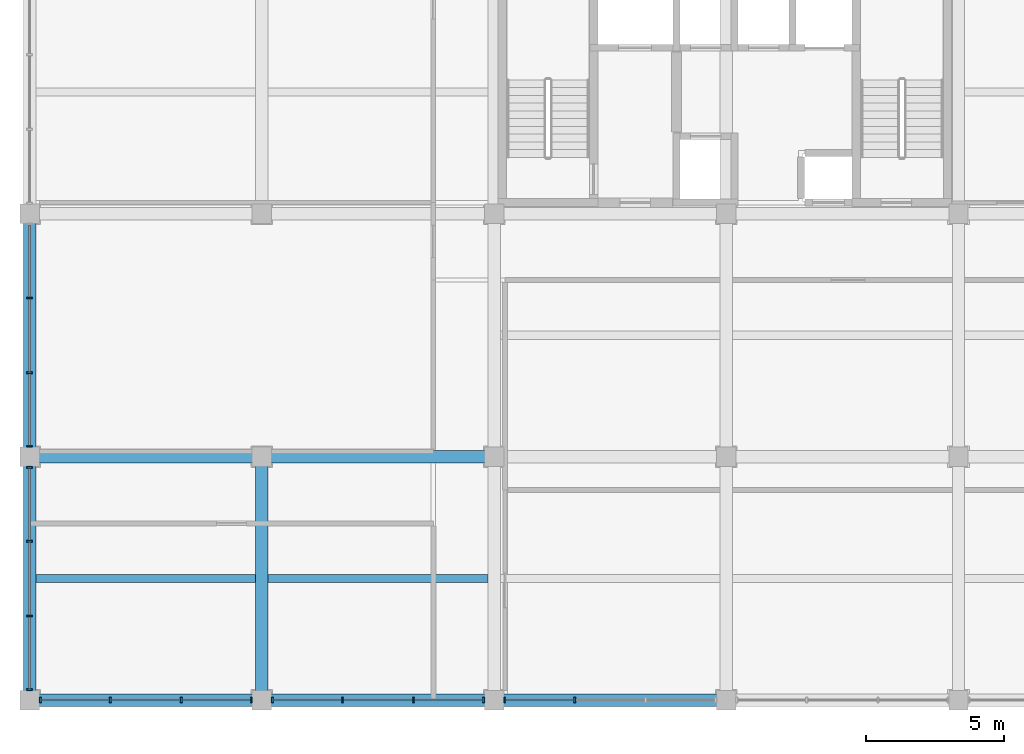
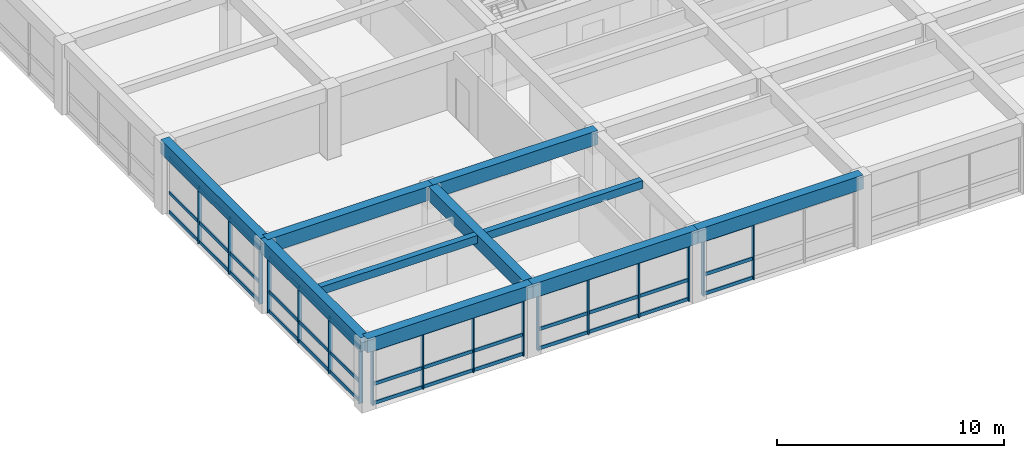
# One storey, part 2 of 13: 56 members, 10 beams, 5 elements without a shape of their own.
"""IFC4 building model written with IfcOpenShell, lengths in metres."""

from ifc_helpers import new_model, si_unit, direction, frame, origin, origin_2d, place, context, subcontext, project, spatial, rectangle, extrude, material, material_profile, profile_set, type_object, element, aggregate, save


model = new_model("IFC4")

# Units and contexts
model_context = context("Model", 3, precision=1e-05, world=origin(), true_north=direction((0.0, 1.0)))
body_context = subcontext(model_context, "Body", "Model", "MODEL_VIEW")
ifc_project = project(units=[si_unit("LENGTHUNIT", "METRE"), si_unit("AREAUNIT", "SQUARE_METRE"), si_unit("VOLUMEUNIT", "CUBIC_METRE"), si_unit("PLANEANGLEUNIT", "RADIAN"), si_unit("MASSUNIT", "GRAM", prefix="KILO")], contexts=[model_context])

# Site, building, storey
site_placement = place(None, origin())
site = spatial("IfcSite", under=ifc_project, at=site_placement, CompositionType="ELEMENT")
building_placement = place(site_placement, origin())
building = spatial("IfcBuilding", under=site, at=building_placement, Name="Kemercrest Conservatory and Botanical Centre", CompositionType="ELEMENT")
storey_placement = place(building_placement, frame((0.0, 0.0, 36.800048828125)))
storey = spatial("IfcBuildingStorey", under=building, at=storey_placement, Name="L09", CompositionType="ELEMENT", Elevation=36.800048828125)

# Beams
ifc_material_1 = material(Name="Concrete C40/50", Category="concrete")
ifc_material_profile_1 = material_profile(ifc_material_1, rectangle(XDim=0.449951171875, YDim=0.75, at=origin_2d()), Name="RC 450x750")
ifc_profile_set_1 = profile_set([ifc_material_profile_1], Name="Concrete C40/50")
beam_type_1 = type_object("IfcBeamType", Name="BM-RC75", PredefinedType="BEAM", material=ifc_profile_set_1)
beam_1_placement = place(storey_placement, frame((134.0, 96.0, 3.425048828125), z_axis=(1.0, 0.0, 0.0), x_axis=(0.0, 1.0, 0.0)))
element("IfcBeam", 1, at=beam_1_placement, inside=storey, type_object=beam_type_1, Name="V4-L10 beam BM-RC75 L/16-17", PredefinedType="BEAM", context=body_context, shape_type="SweptSolid", body=[
    extrude(rectangle(XDim=0.449951171875, YDim=0.75, at=origin_2d()), origin(), (0.0, 0.0, 1.0), 8.39990234375),
])
beam_2_placement = place(storey_placement, frame((142.39990234375, 96.0, 3.425048828125), z_axis=(1.0, 0.0, 0.0), x_axis=(0.0, 1.0, 0.0)))
element("IfcBeam", 2, at=beam_2_placement, inside=storey, type_object=beam_type_1, Name="V4-L10 beam BM-RC75 L/17-18", PredefinedType="BEAM", context=body_context, shape_type="SweptSolid", body=[
    extrude(rectangle(XDim=0.449951171875, YDim=0.75, at=origin_2d()), origin(), (0.0, 0.0, 1.0), 8.400146484375),
])
beam_3_placement = place(storey_placement, frame((142.39990234375, 87.199951171875, 3.425048828125), z_axis=(0.0, 1.0, 0.0), x_axis=(-1.0, 0.0, 0.0)))
element("IfcBeam", 3, at=beam_3_placement, inside=storey, type_object=beam_type_1, Name="V4-L10 beam BM-RC75 17/K-L", PredefinedType="BEAM", context=body_context, shape_type="SweptSolid", body=[
    extrude(rectangle(XDim=0.449951171875, YDim=0.75, at=origin_2d()), origin(), (0.0, 0.0, 1.0), 8.800048828125),
])

# Curtain wall, members
ifc_material_2 = material(Name="Thermally broken aluminium and triple low-e glazing", Category="aluminium")
curtain_wall_type_1 = type_object("IfcCurtainWallType", Name="CW-11", PredefinedType="USERDEFINED", material=ifc_material_2)
curtain_wall_1_placement = place(storey_placement, origin())
curtain_wall_1 = element("IfcCurtainWall", 4, at=curtain_wall_1_placement, inside=storey, type_object=curtain_wall_type_1, Name="Unitised curtain wall CW-11 (CW:L09:V4-100)", ObjectType="UNITISED CURTAIN WALL", PredefinedType="USERDEFINED")
ifc_material_3 = material(Name="Thermally broken anodized aluminium 6063-T6", Category="aluminium")
ifc_material_profile_2 = material_profile(ifc_material_3, rectangle(XDim=0.199951171875, YDim=0.06494140625, at=origin_2d()), Name="AL MULLION 65x200")
ifc_profile_set_2 = profile_set([ifc_material_profile_2], Name="Thermally broken anodized aluminium 6063-T6")
member_type_1 = type_object("IfcMemberType", Name="CW-M200", PredefinedType="MULLION", material=ifc_profile_set_2)
member_1_placement = place(storey_placement, frame((134.37744140625, 87.199951171875, 0.0), z_axis=(0.0, 0.0, 1.0), x_axis=(0.0, 1.0, 0.0)))
member_1 = element("IfcMember", 5, at=member_1_placement, type_object=member_type_1, Name="CW-11 mullion 1", PredefinedType="MULLION", context=body_context, shape_type="SweptSolid", body=[
    extrude(rectangle(XDim=0.199951171875, YDim=0.06494140625, at=origin_2d()), origin(), (0.0, 0.0, 1.0), 3.054931640625),
])
member_2_placement = place(storey_placement, frame((136.9150390625, 87.199951171875, 0.0), z_axis=(0.0, 0.0, 1.0), x_axis=(0.0, 1.0, 0.0)))
member_2 = element("IfcMember", 6, at=member_2_placement, type_object=member_type_1, Name="CW-11 mullion 2", PredefinedType="MULLION", context=body_context, shape_type="SweptSolid", body=[
    extrude(rectangle(XDim=0.199951171875, YDim=0.06494140625, at=origin_2d()), origin(), (0.0, 0.0, 1.0), 3.054931640625),
])
member_3_placement = place(storey_placement, frame((139.485107421875, 87.199951171875, 0.0), z_axis=(0.0, 0.0, 1.0), x_axis=(0.0, 1.0, 0.0)))
member_3 = element("IfcMember", 7, at=member_3_placement, type_object=member_type_1, Name="CW-11 mullion 3", PredefinedType="MULLION", context=body_context, shape_type="SweptSolid", body=[
    extrude(rectangle(XDim=0.199951171875, YDim=0.06494140625, at=origin_2d()), origin(), (0.0, 0.0, 1.0), 3.054931640625),
])
member_4_placement = place(storey_placement, frame((142.0224609375, 87.199951171875, 0.0), z_axis=(0.0, 0.0, 1.0), x_axis=(0.0, 1.0, 0.0)))
member_4 = element("IfcMember", 8, at=member_4_placement, type_object=member_type_1, Name="CW-11 mullion 4", PredefinedType="MULLION", context=body_context, shape_type="SweptSolid", body=[
    extrude(rectangle(XDim=0.199951171875, YDim=0.06494140625, at=origin_2d()), origin(), (0.0, 0.0, 1.0), 3.054931640625),
])

curtain_wall_type_2 = type_object("IfcCurtainWallType", Name="CW-12", PredefinedType="USERDEFINED", material=ifc_material_2)
curtain_wall_2_placement = place(storey_placement, origin())
curtain_wall_2 = element("IfcCurtainWall", 9, at=curtain_wall_2_placement, inside=storey, type_object=curtain_wall_type_2, Name="Unitised curtain wall CW-12 (CW:L09:V4-101)", ObjectType="UNITISED CURTAIN WALL", PredefinedType="USERDEFINED")
member_5_placement = place(storey_placement, frame((142.777587890625, 87.199951171875, 0.0), z_axis=(0.0, 0.0, 1.0), x_axis=(0.0, 1.0, 0.0)))
member_5 = element("IfcMember", 10, at=member_5_placement, type_object=member_type_1, Name="CW-12 mullion 1", PredefinedType="MULLION", context=body_context, shape_type="SweptSolid", body=[
    extrude(rectangle(XDim=0.199951171875, YDim=0.06494140625, at=origin_2d()), origin(), (0.0, 0.0, 1.0), 3.054931640625),
])
member_6_placement = place(storey_placement, frame((145.31494140625, 87.199951171875, 0.0), z_axis=(0.0, 0.0, 1.0), x_axis=(0.0, 1.0, 0.0)))
member_6 = element("IfcMember", 11, at=member_6_placement, type_object=member_type_1, Name="CW-12 mullion 2", PredefinedType="MULLION", context=body_context, shape_type="SweptSolid", body=[
    extrude(rectangle(XDim=0.199951171875, YDim=0.06494140625, at=origin_2d()), origin(), (0.0, 0.0, 1.0), 3.054931640625),
])
member_7_placement = place(storey_placement, frame((147.885009765625, 87.199951171875, 0.0), z_axis=(0.0, 0.0, 1.0), x_axis=(0.0, 1.0, 0.0)))
member_7 = element("IfcMember", 12, at=member_7_placement, type_object=member_type_1, Name="CW-12 mullion 3", PredefinedType="MULLION", context=body_context, shape_type="SweptSolid", body=[
    extrude(rectangle(XDim=0.199951171875, YDim=0.06494140625, at=origin_2d()), origin(), (0.0, 0.0, 1.0), 3.054931640625),
])
member_8_placement = place(storey_placement, frame((150.422607421875, 87.199951171875, 0.0), z_axis=(0.0, 0.0, 1.0), x_axis=(0.0, 1.0, 0.0)))
member_8 = element("IfcMember", 13, at=member_8_placement, type_object=member_type_1, Name="CW-12 mullion 4", PredefinedType="MULLION", context=body_context, shape_type="SweptSolid", body=[
    extrude(rectangle(XDim=0.199951171875, YDim=0.06494140625, at=origin_2d()), origin(), (0.0, 0.0, 1.0), 3.054931640625),
])

curtain_wall_type_3 = type_object("IfcCurtainWallType", Name="CW-13", PredefinedType="USERDEFINED", material=ifc_material_2)
curtain_wall_3_placement = place(storey_placement, origin())
curtain_wall_3 = element("IfcCurtainWall", 14, at=curtain_wall_3_placement, inside=storey, type_object=curtain_wall_type_3, Name="Unitised curtain wall CW-13 (CW:L09:V4-102)", ObjectType="UNITISED CURTAIN WALL", PredefinedType="USERDEFINED")
member_9_placement = place(storey_placement, frame((151.177490234375, 87.199951171875, 0.0), z_axis=(0.0, 0.0, 1.0), x_axis=(0.0, 1.0, 0.0)))
member_9 = element("IfcMember", 15, at=member_9_placement, type_object=member_type_1, Name="CW-13 mullion 1", PredefinedType="MULLION", context=body_context, shape_type="SweptSolid", body=[
    extrude(rectangle(XDim=0.199951171875, YDim=0.06494140625, at=origin_2d()), origin(), (0.0, 0.0, 1.0), 3.054931640625),
])
member_10_placement = place(storey_placement, frame((153.715087890625, 87.199951171875, 0.0), z_axis=(0.0, 0.0, 1.0), x_axis=(0.0, 1.0, 0.0)))
member_10 = element("IfcMember", 16, at=member_10_placement, type_object=member_type_1, Name="CW-13 mullion 2", PredefinedType="MULLION", context=body_context, shape_type="SweptSolid", body=[
    extrude(rectangle(XDim=0.199951171875, YDim=0.06494140625, at=origin_2d()), origin(), (0.0, 0.0, 1.0), 3.054931640625),
])

curtain_wall_type_4 = type_object("IfcCurtainWallType", Name="CW-20", PredefinedType="USERDEFINED", material=ifc_material_2)
curtain_wall_4_placement = place(storey_placement, origin())
curtain_wall_4 = element("IfcCurtainWall", 17, at=curtain_wall_4_placement, inside=storey, type_object=curtain_wall_type_4, Name="Unitised curtain wall CW-20 (CW:L09:V4-109)", ObjectType="UNITISED CURTAIN WALL", PredefinedType="USERDEFINED")
member_11_placement = place(storey_placement, frame((134.0, 101.751708984375, 0.0), z_axis=(0.0, 0.0, 1.0), x_axis=(1.0, 0.0, 0.0)))
member_11 = element("IfcMember", 18, at=member_11_placement, type_object=member_type_1, Name="CW-20 mullion 2", PredefinedType="MULLION", context=body_context, shape_type="SweptSolid", body=[
    extrude(rectangle(XDim=0.199951171875, YDim=0.06494140625, at=origin_2d()), origin(), (0.0, 0.0, 1.0), 3.054931640625),
])
member_12_placement = place(storey_placement, frame((134.0, 99.04833984375, 0.0), z_axis=(0.0, 0.0, 1.0), x_axis=(1.0, 0.0, 0.0)))
member_12 = element("IfcMember", 19, at=member_12_placement, type_object=member_type_1, Name="CW-20 mullion 3", PredefinedType="MULLION", context=body_context, shape_type="SweptSolid", body=[
    extrude(rectangle(XDim=0.199951171875, YDim=0.06494140625, at=origin_2d()), origin(), (0.0, 0.0, 1.0), 3.054931640625),
])
member_13_placement = place(storey_placement, frame((134.0, 96.37744140625, 0.0), z_axis=(0.0, 0.0, 1.0), x_axis=(1.0, 0.0, 0.0)))
member_13 = element("IfcMember", 20, at=member_13_placement, type_object=member_type_1, Name="CW-20 mullion 4", PredefinedType="MULLION", context=body_context, shape_type="SweptSolid", body=[
    extrude(rectangle(XDim=0.199951171875, YDim=0.06494140625, at=origin_2d()), origin(), (0.0, 0.0, 1.0), 3.054931640625),
])

curtain_wall_type_5 = type_object("IfcCurtainWallType", Name="CW-21", PredefinedType="USERDEFINED", material=ifc_material_2)
curtain_wall_5_placement = place(storey_placement, origin())
curtain_wall_5 = element("IfcCurtainWall", 21, at=curtain_wall_5_placement, inside=storey, type_object=curtain_wall_type_5, Name="Unitised curtain wall CW-21 (CW:L09:V4-110)", ObjectType="UNITISED CURTAIN WALL", PredefinedType="USERDEFINED")
member_14_placement = place(storey_placement, frame((134.0, 95.62255859375, 0.0), z_axis=(0.0, 0.0, 1.0), x_axis=(1.0, 0.0, 0.0)))
member_14 = element("IfcMember", 22, at=member_14_placement, type_object=member_type_1, Name="CW-21 mullion 1", PredefinedType="MULLION", context=body_context, shape_type="SweptSolid", body=[
    extrude(rectangle(XDim=0.199951171875, YDim=0.06494140625, at=origin_2d()), origin(), (0.0, 0.0, 1.0), 3.054931640625),
])
member_15_placement = place(storey_placement, frame((134.0, 92.95166015625, 0.0), z_axis=(0.0, 0.0, 1.0), x_axis=(1.0, 0.0, 0.0)))
member_15 = element("IfcMember", 23, at=member_15_placement, type_object=member_type_1, Name="CW-21 mullion 2", PredefinedType="MULLION", context=body_context, shape_type="SweptSolid", body=[
    extrude(rectangle(XDim=0.199951171875, YDim=0.06494140625, at=origin_2d()), origin(), (0.0, 0.0, 1.0), 3.054931640625),
])
member_16_placement = place(storey_placement, frame((134.0, 90.248291015625, 0.0), z_axis=(0.0, 0.0, 1.0), x_axis=(1.0, 0.0, 0.0)))
member_16 = element("IfcMember", 24, at=member_16_placement, type_object=member_type_1, Name="CW-21 mullion 3", PredefinedType="MULLION", context=body_context, shape_type="SweptSolid", body=[
    extrude(rectangle(XDim=0.199951171875, YDim=0.06494140625, at=origin_2d()), origin(), (0.0, 0.0, 1.0), 3.054931640625),
])
member_17_placement = place(storey_placement, frame((134.0, 87.577392578125, 0.0), z_axis=(0.0, 0.0, 1.0), x_axis=(1.0, 0.0, 0.0)))
member_17 = element("IfcMember", 25, at=member_17_placement, type_object=member_type_1, Name="CW-21 mullion 4", PredefinedType="MULLION", context=body_context, shape_type="SweptSolid", body=[
    extrude(rectangle(XDim=0.199951171875, YDim=0.06494140625, at=origin_2d()), origin(), (0.0, 0.0, 1.0), 3.054931640625),
])

# Member
ifc_material_profile_3 = material_profile(ifc_material_3, rectangle(XDim=0.074951171875, YDim=0.179931640625, at=origin_2d()), Name="AL TRANSOM 75x180")
ifc_profile_set_3 = profile_set([ifc_material_profile_3], Name="Thermally broken anodized aluminium 6063-T6")
member_type_2 = type_object("IfcMemberType", Name="CW-T180", PredefinedType="USERDEFINED", material=ifc_profile_set_3)
member_18_placement = place(storey_placement, frame((134.409912109375, 87.199951171875, 0.08984375), z_axis=(1.0, 0.0, 0.0), x_axis=(0.0, 1.0, 0.0)))
member_18 = element("IfcMember", 26, at=member_18_placement, type_object=member_type_2, Name="CW-11 transom 1.1", ObjectType="TRANSOM", PredefinedType="USERDEFINED", context=body_context, shape_type="SweptSolid", body=[
    extrude(rectangle(XDim=0.074951171875, YDim=0.179931640625, at=origin_2d()), origin(), (0.0, 0.0, 1.0), 2.47265625),
])

member_19_placement = place(storey_placement, frame((134.409912109375, 87.199951171875, 1.119873046875), z_axis=(1.0, 0.0, 0.0), x_axis=(0.0, 1.0, 0.0)))
member_19 = element("IfcMember", 27, at=member_19_placement, type_object=member_type_2, Name="CW-11 transom 1.2", ObjectType="TRANSOM", PredefinedType="USERDEFINED", context=body_context, shape_type="SweptSolid", body=[
    extrude(rectangle(XDim=0.074951171875, YDim=0.179931640625, at=origin_2d()), origin(), (0.0, 0.0, 1.0), 2.47265625),
])

member_20_placement = place(storey_placement, frame((134.409912109375, 87.199951171875, 2.96484375), z_axis=(1.0, 0.0, 0.0), x_axis=(0.0, 1.0, 0.0)))
member_20 = element("IfcMember", 28, at=member_20_placement, type_object=member_type_2, Name="CW-11 transom 1.3", ObjectType="TRANSOM", PredefinedType="USERDEFINED", context=body_context, shape_type="SweptSolid", body=[
    extrude(rectangle(XDim=0.074951171875, YDim=0.179931640625, at=origin_2d()), origin(), (0.0, 0.0, 1.0), 2.47265625),
])

member_21_placement = place(storey_placement, frame((136.947509765625, 87.199951171875, 0.08984375), z_axis=(1.0, 0.0, 0.0), x_axis=(0.0, 1.0, 0.0)))
member_21 = element("IfcMember", 29, at=member_21_placement, type_object=member_type_2, Name="CW-11 transom 2.1", ObjectType="TRANSOM", PredefinedType="USERDEFINED", context=body_context, shape_type="SweptSolid", body=[
    extrude(rectangle(XDim=0.074951171875, YDim=0.179931640625, at=origin_2d()), origin(), (0.0, 0.0, 1.0), 2.5048828125),
])

member_22_placement = place(storey_placement, frame((136.947509765625, 87.199951171875, 1.119873046875), z_axis=(1.0, 0.0, 0.0), x_axis=(0.0, 1.0, 0.0)))
member_22 = element("IfcMember", 30, at=member_22_placement, type_object=member_type_2, Name="CW-11 transom 2.2", ObjectType="TRANSOM", PredefinedType="USERDEFINED", context=body_context, shape_type="SweptSolid", body=[
    extrude(rectangle(XDim=0.074951171875, YDim=0.179931640625, at=origin_2d()), origin(), (0.0, 0.0, 1.0), 2.5048828125),
])

member_23_placement = place(storey_placement, frame((136.947509765625, 87.199951171875, 2.96484375), z_axis=(1.0, 0.0, 0.0), x_axis=(0.0, 1.0, 0.0)))
member_23 = element("IfcMember", 31, at=member_23_placement, type_object=member_type_2, Name="CW-11 transom 2.3", ObjectType="TRANSOM", PredefinedType="USERDEFINED", context=body_context, shape_type="SweptSolid", body=[
    extrude(rectangle(XDim=0.074951171875, YDim=0.179931640625, at=origin_2d()), origin(), (0.0, 0.0, 1.0), 2.5048828125),
])

member_24_placement = place(storey_placement, frame((139.517578125, 87.199951171875, 0.08984375), z_axis=(1.0, 0.0, 0.0), x_axis=(0.0, 1.0, 0.0)))
member_24 = element("IfcMember", 32, at=member_24_placement, type_object=member_type_2, Name="CW-11 transom 3.1", ObjectType="TRANSOM", PredefinedType="USERDEFINED", context=body_context, shape_type="SweptSolid", body=[
    extrude(rectangle(XDim=0.074951171875, YDim=0.179931640625, at=origin_2d()), origin(), (0.0, 0.0, 1.0), 2.472412109375),
])

member_25_placement = place(storey_placement, frame((139.517578125, 87.199951171875, 1.119873046875), z_axis=(1.0, 0.0, 0.0), x_axis=(0.0, 1.0, 0.0)))
member_25 = element("IfcMember", 33, at=member_25_placement, type_object=member_type_2, Name="CW-11 transom 3.2", ObjectType="TRANSOM", PredefinedType="USERDEFINED", context=body_context, shape_type="SweptSolid", body=[
    extrude(rectangle(XDim=0.074951171875, YDim=0.179931640625, at=origin_2d()), origin(), (0.0, 0.0, 1.0), 2.472412109375),
])

member_26_placement = place(storey_placement, frame((139.517578125, 87.199951171875, 2.96484375), z_axis=(1.0, 0.0, 0.0), x_axis=(0.0, 1.0, 0.0)))
member_26 = element("IfcMember", 34, at=member_26_placement, type_object=member_type_2, Name="CW-11 transom 3.3", ObjectType="TRANSOM", PredefinedType="USERDEFINED", context=body_context, shape_type="SweptSolid", body=[
    extrude(rectangle(XDim=0.074951171875, YDim=0.179931640625, at=origin_2d()), origin(), (0.0, 0.0, 1.0), 2.472412109375),
])

aggregate(curtain_wall_1, [member_1, member_2, member_3, member_4, member_18, member_19, member_20, member_21, member_22, member_23, member_24, member_25, member_26])

member_27_placement = place(storey_placement, frame((142.81005859375, 87.199951171875, 0.08984375), z_axis=(1.0, 0.0, 0.0), x_axis=(0.0, 1.0, 0.0)))
member_27 = element("IfcMember", 35, at=member_27_placement, type_object=member_type_2, Name="CW-12 transom 1.1", ObjectType="TRANSOM", PredefinedType="USERDEFINED", context=body_context, shape_type="SweptSolid", body=[
    extrude(rectangle(XDim=0.074951171875, YDim=0.179931640625, at=origin_2d()), origin(), (0.0, 0.0, 1.0), 2.472412109375),
])

member_28_placement = place(storey_placement, frame((142.81005859375, 87.199951171875, 1.119873046875), z_axis=(1.0, 0.0, 0.0), x_axis=(0.0, 1.0, 0.0)))
member_28 = element("IfcMember", 36, at=member_28_placement, type_object=member_type_2, Name="CW-12 transom 1.2", ObjectType="TRANSOM", PredefinedType="USERDEFINED", context=body_context, shape_type="SweptSolid", body=[
    extrude(rectangle(XDim=0.074951171875, YDim=0.179931640625, at=origin_2d()), origin(), (0.0, 0.0, 1.0), 2.472412109375),
])

member_29_placement = place(storey_placement, frame((142.81005859375, 87.199951171875, 2.96484375), z_axis=(1.0, 0.0, 0.0), x_axis=(0.0, 1.0, 0.0)))
member_29 = element("IfcMember", 37, at=member_29_placement, type_object=member_type_2, Name="CW-12 transom 1.3", ObjectType="TRANSOM", PredefinedType="USERDEFINED", context=body_context, shape_type="SweptSolid", body=[
    extrude(rectangle(XDim=0.074951171875, YDim=0.179931640625, at=origin_2d()), origin(), (0.0, 0.0, 1.0), 2.472412109375),
])

member_30_placement = place(storey_placement, frame((145.347412109375, 87.199951171875, 0.08984375), z_axis=(1.0, 0.0, 0.0), x_axis=(0.0, 1.0, 0.0)))
member_30 = element("IfcMember", 38, at=member_30_placement, type_object=member_type_2, Name="CW-12 transom 2.1", ObjectType="TRANSOM", PredefinedType="USERDEFINED", context=body_context, shape_type="SweptSolid", body=[
    extrude(rectangle(XDim=0.074951171875, YDim=0.179931640625, at=origin_2d()), origin(), (0.0, 0.0, 1.0), 2.505126953125),
])

member_31_placement = place(storey_placement, frame((145.347412109375, 87.199951171875, 1.119873046875), z_axis=(1.0, 0.0, 0.0), x_axis=(0.0, 1.0, 0.0)))
member_31 = element("IfcMember", 39, at=member_31_placement, type_object=member_type_2, Name="CW-12 transom 2.2", ObjectType="TRANSOM", PredefinedType="USERDEFINED", context=body_context, shape_type="SweptSolid", body=[
    extrude(rectangle(XDim=0.074951171875, YDim=0.179931640625, at=origin_2d()), origin(), (0.0, 0.0, 1.0), 2.505126953125),
])

member_32_placement = place(storey_placement, frame((145.347412109375, 87.199951171875, 2.96484375), z_axis=(1.0, 0.0, 0.0), x_axis=(0.0, 1.0, 0.0)))
member_32 = element("IfcMember", 40, at=member_32_placement, type_object=member_type_2, Name="CW-12 transom 2.3", ObjectType="TRANSOM", PredefinedType="USERDEFINED", context=body_context, shape_type="SweptSolid", body=[
    extrude(rectangle(XDim=0.074951171875, YDim=0.179931640625, at=origin_2d()), origin(), (0.0, 0.0, 1.0), 2.505126953125),
])

member_33_placement = place(storey_placement, frame((147.91748046875, 87.199951171875, 0.08984375), z_axis=(1.0, 0.0, 0.0), x_axis=(0.0, 1.0, 0.0)))
member_33 = element("IfcMember", 41, at=member_33_placement, type_object=member_type_2, Name="CW-12 transom 3.1", ObjectType="TRANSOM", PredefinedType="USERDEFINED", context=body_context, shape_type="SweptSolid", body=[
    extrude(rectangle(XDim=0.074951171875, YDim=0.179931640625, at=origin_2d()), origin(), (0.0, 0.0, 1.0), 2.472412109375),
])

member_34_placement = place(storey_placement, frame((147.91748046875, 87.199951171875, 1.119873046875), z_axis=(1.0, 0.0, 0.0), x_axis=(0.0, 1.0, 0.0)))
member_34 = element("IfcMember", 42, at=member_34_placement, type_object=member_type_2, Name="CW-12 transom 3.2", ObjectType="TRANSOM", PredefinedType="USERDEFINED", context=body_context, shape_type="SweptSolid", body=[
    extrude(rectangle(XDim=0.074951171875, YDim=0.179931640625, at=origin_2d()), origin(), (0.0, 0.0, 1.0), 2.472412109375),
])

member_35_placement = place(storey_placement, frame((147.91748046875, 87.199951171875, 2.96484375), z_axis=(1.0, 0.0, 0.0), x_axis=(0.0, 1.0, 0.0)))
member_35 = element("IfcMember", 43, at=member_35_placement, type_object=member_type_2, Name="CW-12 transom 3.3", ObjectType="TRANSOM", PredefinedType="USERDEFINED", context=body_context, shape_type="SweptSolid", body=[
    extrude(rectangle(XDim=0.074951171875, YDim=0.179931640625, at=origin_2d()), origin(), (0.0, 0.0, 1.0), 2.472412109375),
])

aggregate(curtain_wall_2, [member_5, member_6, member_7, member_8, member_27, member_28, member_29, member_30, member_31, member_32, member_33, member_34, member_35])

member_36_placement = place(storey_placement, frame((151.2099609375, 87.199951171875, 0.08984375), z_axis=(1.0, 0.0, 0.0), x_axis=(0.0, 1.0, 0.0)))
member_36 = element("IfcMember", 44, at=member_36_placement, type_object=member_type_2, Name="CW-13 transom 1.1", ObjectType="TRANSOM", PredefinedType="USERDEFINED", context=body_context, shape_type="SweptSolid", body=[
    extrude(rectangle(XDim=0.074951171875, YDim=0.179931640625, at=origin_2d()), origin(), (0.0, 0.0, 1.0), 2.47265625),
])

member_37_placement = place(storey_placement, frame((151.2099609375, 87.199951171875, 1.119873046875), z_axis=(1.0, 0.0, 0.0), x_axis=(0.0, 1.0, 0.0)))
member_37 = element("IfcMember", 45, at=member_37_placement, type_object=member_type_2, Name="CW-13 transom 1.2", ObjectType="TRANSOM", PredefinedType="USERDEFINED", context=body_context, shape_type="SweptSolid", body=[
    extrude(rectangle(XDim=0.074951171875, YDim=0.179931640625, at=origin_2d()), origin(), (0.0, 0.0, 1.0), 2.47265625),
])

member_38_placement = place(storey_placement, frame((151.2099609375, 87.199951171875, 2.96484375), z_axis=(1.0, 0.0, 0.0), x_axis=(0.0, 1.0, 0.0)))
member_38 = element("IfcMember", 46, at=member_38_placement, type_object=member_type_2, Name="CW-13 transom 1.3", ObjectType="TRANSOM", PredefinedType="USERDEFINED", context=body_context, shape_type="SweptSolid", body=[
    extrude(rectangle(XDim=0.074951171875, YDim=0.179931640625, at=origin_2d()), origin(), (0.0, 0.0, 1.0), 2.47265625),
])

aggregate(curtain_wall_3, [member_9, member_10, member_36, member_37, member_38])

member_39_placement = place(storey_placement, frame((134.0, 104.389892578125, 0.08984375), z_axis=(0.0, -1.0, 0.0), x_axis=(1.0, 0.0, 0.0)))
member_39 = element("IfcMember", 47, at=member_39_placement, type_object=member_type_2, Name="CW-20 transom 1.1", ObjectType="TRANSOM", PredefinedType="USERDEFINED", context=body_context, shape_type="SweptSolid", body=[
    extrude(rectangle(XDim=0.074951171875, YDim=0.179931640625, at=origin_2d()), origin(), (0.0, 0.0, 1.0), 2.605712890625),
])

member_40_placement = place(storey_placement, frame((134.0, 104.389892578125, 1.119873046875), z_axis=(0.0, -1.0, 0.0), x_axis=(1.0, 0.0, 0.0)))
member_40 = element("IfcMember", 48, at=member_40_placement, type_object=member_type_2, Name="CW-20 transom 1.2", ObjectType="TRANSOM", PredefinedType="USERDEFINED", context=body_context, shape_type="SweptSolid", body=[
    extrude(rectangle(XDim=0.074951171875, YDim=0.179931640625, at=origin_2d()), origin(), (0.0, 0.0, 1.0), 2.605712890625),
])

member_41_placement = place(storey_placement, frame((134.0, 104.389892578125, 2.96484375), z_axis=(0.0, -1.0, 0.0), x_axis=(1.0, 0.0, 0.0)))
member_41 = element("IfcMember", 49, at=member_41_placement, type_object=member_type_2, Name="CW-20 transom 1.3", ObjectType="TRANSOM", PredefinedType="USERDEFINED", context=body_context, shape_type="SweptSolid", body=[
    extrude(rectangle(XDim=0.074951171875, YDim=0.179931640625, at=origin_2d()), origin(), (0.0, 0.0, 1.0), 2.605712890625),
])

member_42_placement = place(storey_placement, frame((134.0, 101.71923828125, 0.08984375), z_axis=(0.0, -1.0, 0.0), x_axis=(1.0, 0.0, 0.0)))
member_42 = element("IfcMember", 50, at=member_42_placement, type_object=member_type_2, Name="CW-20 transom 2.1", ObjectType="TRANSOM", PredefinedType="USERDEFINED", context=body_context, shape_type="SweptSolid", body=[
    extrude(rectangle(XDim=0.074951171875, YDim=0.179931640625, at=origin_2d()), origin(), (0.0, 0.0, 1.0), 2.638427734375),
])

member_43_placement = place(storey_placement, frame((134.0, 101.71923828125, 1.119873046875), z_axis=(0.0, -1.0, 0.0), x_axis=(1.0, 0.0, 0.0)))
member_43 = element("IfcMember", 51, at=member_43_placement, type_object=member_type_2, Name="CW-20 transom 2.2", ObjectType="TRANSOM", PredefinedType="USERDEFINED", context=body_context, shape_type="SweptSolid", body=[
    extrude(rectangle(XDim=0.074951171875, YDim=0.179931640625, at=origin_2d()), origin(), (0.0, 0.0, 1.0), 2.638427734375),
])

member_44_placement = place(storey_placement, frame((134.0, 101.71923828125, 2.96484375), z_axis=(0.0, -1.0, 0.0), x_axis=(1.0, 0.0, 0.0)))
member_44 = element("IfcMember", 52, at=member_44_placement, type_object=member_type_2, Name="CW-20 transom 2.3", ObjectType="TRANSOM", PredefinedType="USERDEFINED", context=body_context, shape_type="SweptSolid", body=[
    extrude(rectangle(XDim=0.074951171875, YDim=0.179931640625, at=origin_2d()), origin(), (0.0, 0.0, 1.0), 2.638427734375),
])

member_45_placement = place(storey_placement, frame((134.0, 99.015869140625, 0.08984375), z_axis=(0.0, -1.0, 0.0), x_axis=(1.0, 0.0, 0.0)))
member_45 = element("IfcMember", 53, at=member_45_placement, type_object=member_type_2, Name="CW-20 transom 3.1", ObjectType="TRANSOM", PredefinedType="USERDEFINED", context=body_context, shape_type="SweptSolid", body=[
    extrude(rectangle(XDim=0.074951171875, YDim=0.179931640625, at=origin_2d()), origin(), (0.0, 0.0, 1.0), 2.60595703125),
])

member_46_placement = place(storey_placement, frame((134.0, 99.015869140625, 1.119873046875), z_axis=(0.0, -1.0, 0.0), x_axis=(1.0, 0.0, 0.0)))
member_46 = element("IfcMember", 54, at=member_46_placement, type_object=member_type_2, Name="CW-20 transom 3.2", ObjectType="TRANSOM", PredefinedType="USERDEFINED", context=body_context, shape_type="SweptSolid", body=[
    extrude(rectangle(XDim=0.074951171875, YDim=0.179931640625, at=origin_2d()), origin(), (0.0, 0.0, 1.0), 2.60595703125),
])

member_47_placement = place(storey_placement, frame((134.0, 99.015869140625, 2.96484375), z_axis=(0.0, -1.0, 0.0), x_axis=(1.0, 0.0, 0.0)))
member_47 = element("IfcMember", 55, at=member_47_placement, type_object=member_type_2, Name="CW-20 transom 3.3", ObjectType="TRANSOM", PredefinedType="USERDEFINED", context=body_context, shape_type="SweptSolid", body=[
    extrude(rectangle(XDim=0.074951171875, YDim=0.179931640625, at=origin_2d()), origin(), (0.0, 0.0, 1.0), 2.60595703125),
])

aggregate(curtain_wall_4, [member_11, member_12, member_13, member_39, member_40, member_41, member_42, member_43, member_44, member_45, member_46, member_47])

member_48_placement = place(storey_placement, frame((134.0, 95.590087890625, 0.08984375), z_axis=(0.0, -1.0, 0.0), x_axis=(1.0, 0.0, 0.0)))
member_48 = element("IfcMember", 56, at=member_48_placement, type_object=member_type_2, Name="CW-21 transom 1.1", ObjectType="TRANSOM", PredefinedType="USERDEFINED", context=body_context, shape_type="SweptSolid", body=[
    extrude(rectangle(XDim=0.074951171875, YDim=0.179931640625, at=origin_2d()), origin(), (0.0, 0.0, 1.0), 2.60595703125),
])

member_49_placement = place(storey_placement, frame((134.0, 95.590087890625, 1.119873046875), z_axis=(0.0, -1.0, 0.0), x_axis=(1.0, 0.0, 0.0)))
member_49 = element("IfcMember", 57, at=member_49_placement, type_object=member_type_2, Name="CW-21 transom 1.2", ObjectType="TRANSOM", PredefinedType="USERDEFINED", context=body_context, shape_type="SweptSolid", body=[
    extrude(rectangle(XDim=0.074951171875, YDim=0.179931640625, at=origin_2d()), origin(), (0.0, 0.0, 1.0), 2.60595703125),
])

member_50_placement = place(storey_placement, frame((134.0, 95.590087890625, 2.96484375), z_axis=(0.0, -1.0, 0.0), x_axis=(1.0, 0.0, 0.0)))
member_50 = element("IfcMember", 58, at=member_50_placement, type_object=member_type_2, Name="CW-21 transom 1.3", ObjectType="TRANSOM", PredefinedType="USERDEFINED", context=body_context, shape_type="SweptSolid", body=[
    extrude(rectangle(XDim=0.074951171875, YDim=0.179931640625, at=origin_2d()), origin(), (0.0, 0.0, 1.0), 2.60595703125),
])

member_51_placement = place(storey_placement, frame((134.0, 92.919189453125, 0.08984375), z_axis=(0.0, -1.0, 0.0), x_axis=(1.0, 0.0, 0.0)))
member_51 = element("IfcMember", 59, at=member_51_placement, type_object=member_type_2, Name="CW-21 transom 2.1", ObjectType="TRANSOM", PredefinedType="USERDEFINED", context=body_context, shape_type="SweptSolid", body=[
    extrude(rectangle(XDim=0.074951171875, YDim=0.179931640625, at=origin_2d()), origin(), (0.0, 0.0, 1.0), 2.638427734375),
])

member_52_placement = place(storey_placement, frame((134.0, 92.919189453125, 1.119873046875), z_axis=(0.0, -1.0, 0.0), x_axis=(1.0, 0.0, 0.0)))
member_52 = element("IfcMember", 60, at=member_52_placement, type_object=member_type_2, Name="CW-21 transom 2.2", ObjectType="TRANSOM", PredefinedType="USERDEFINED", context=body_context, shape_type="SweptSolid", body=[
    extrude(rectangle(XDim=0.074951171875, YDim=0.179931640625, at=origin_2d()), origin(), (0.0, 0.0, 1.0), 2.638427734375),
])

member_53_placement = place(storey_placement, frame((134.0, 92.919189453125, 2.96484375), z_axis=(0.0, -1.0, 0.0), x_axis=(1.0, 0.0, 0.0)))
member_53 = element("IfcMember", 61, at=member_53_placement, type_object=member_type_2, Name="CW-21 transom 2.3", ObjectType="TRANSOM", PredefinedType="USERDEFINED", context=body_context, shape_type="SweptSolid", body=[
    extrude(rectangle(XDim=0.074951171875, YDim=0.179931640625, at=origin_2d()), origin(), (0.0, 0.0, 1.0), 2.638427734375),
])

member_54_placement = place(storey_placement, frame((134.0, 90.2158203125, 0.08984375), z_axis=(0.0, -1.0, 0.0), x_axis=(1.0, 0.0, 0.0)))
member_54 = element("IfcMember", 62, at=member_54_placement, type_object=member_type_2, Name="CW-21 transom 3.1", ObjectType="TRANSOM", PredefinedType="USERDEFINED", context=body_context, shape_type="SweptSolid", body=[
    extrude(rectangle(XDim=0.074951171875, YDim=0.179931640625, at=origin_2d()), origin(), (0.0, 0.0, 1.0), 2.605712890625),
])

member_55_placement = place(storey_placement, frame((134.0, 90.2158203125, 1.119873046875), z_axis=(0.0, -1.0, 0.0), x_axis=(1.0, 0.0, 0.0)))
member_55 = element("IfcMember", 63, at=member_55_placement, type_object=member_type_2, Name="CW-21 transom 3.2", ObjectType="TRANSOM", PredefinedType="USERDEFINED", context=body_context, shape_type="SweptSolid", body=[
    extrude(rectangle(XDim=0.074951171875, YDim=0.179931640625, at=origin_2d()), origin(), (0.0, 0.0, 1.0), 2.605712890625),
])

member_56_placement = place(storey_placement, frame((134.0, 90.2158203125, 2.96484375), z_axis=(0.0, -1.0, 0.0), x_axis=(1.0, 0.0, 0.0)))
member_56 = element("IfcMember", 64, at=member_56_placement, type_object=member_type_2, Name="CW-21 transom 3.3", ObjectType="TRANSOM", PredefinedType="USERDEFINED", context=body_context, shape_type="SweptSolid", body=[
    extrude(rectangle(XDim=0.074951171875, YDim=0.179931640625, at=origin_2d()), origin(), (0.0, 0.0, 1.0), 2.605712890625),
])

aggregate(curtain_wall_5, [member_14, member_15, member_16, member_17, member_48, member_49, member_50, member_51, member_52, member_53, member_54, member_55, member_56])

# Beams
ifc_material_profile_4 = material_profile(ifc_material_1, rectangle(XDim=0.300048828125, YDim=0.419921875, at=origin_2d()), Name="RC 300x420")
ifc_profile_set_4 = profile_set([ifc_material_profile_4], Name="Concrete C40/50")
beam_type_2 = type_object("IfcBeamType", Name="JS-RC42", PredefinedType="JOIST", material=ifc_profile_set_4)
for number, where, z_axis, x_axis, name in (
    (65, (134.22509765625, 91.60009765625, 3.58984375), (1.0, 0.0, 0.0), (0.0, 1.0, 0.0), "V4-L10 secondary joist JS-RC42"),
    (66, (142.625, 91.60009765625, 3.58984375), (1.0, 0.0, 0.0), (0.0, 1.0, 0.0), "V4-L10 secondary joist JS-RC42"),
):
    element("IfcBeam", number, at=place(storey_placement, frame(where, z_axis=z_axis, x_axis=x_axis)), inside=storey, type_object=beam_type_2, Name=name, PredefinedType="JOIST", context=body_context, shape_type="SweptSolid", body=[
        extrude(rectangle(XDim=0.300048828125, YDim=0.419921875, at=origin_2d()), origin(), (0.0, 0.0, 1.0), 7.949951171875),
    ])
ifc_material_profile_5 = material_profile(ifc_material_1, rectangle(XDim=0.449951171875, YDim=0.75, at=origin_2d()), Name="RC 450x750")
ifc_profile_set_5 = profile_set([ifc_material_profile_5], Name="Concrete C40/50")
beam_type_3 = type_object("IfcBeamType", Name="SP-RC75", PredefinedType="SPANDREL", material=ifc_profile_set_5)
beam_4_placement = place(storey_placement, frame((134.0, 87.199951171875, 3.425048828125), z_axis=(1.0, 0.0, 0.0), x_axis=(0.0, 1.0, 0.0)))
element("IfcBeam", 67, at=beam_4_placement, inside=storey, type_object=beam_type_3, Name="V4-L10 beam SP-RC75 K/16-17", PredefinedType="SPANDREL", context=body_context, shape_type="SweptSolid", body=[
    extrude(rectangle(XDim=0.449951171875, YDim=0.75, at=origin_2d()), origin(), (0.0, 0.0, 1.0), 8.39990234375),
])
beam_5_placement = place(storey_placement, frame((142.39990234375, 87.199951171875, 3.425048828125), z_axis=(1.0, 0.0, 0.0), x_axis=(0.0, 1.0, 0.0)))
element("IfcBeam", 68, at=beam_5_placement, inside=storey, type_object=beam_type_3, Name="V4-L10 beam SP-RC75 K/17-18", PredefinedType="SPANDREL", context=body_context, shape_type="SweptSolid", body=[
    extrude(rectangle(XDim=0.449951171875, YDim=0.75, at=origin_2d()), origin(), (0.0, 0.0, 1.0), 8.400146484375),
])
beam_6_placement = place(storey_placement, frame((150.800048828125, 87.199951171875, 3.425048828125), z_axis=(1.0, 0.0, 0.0), x_axis=(0.0, 1.0, 0.0)))
element("IfcBeam", 69, at=beam_6_placement, inside=storey, type_object=beam_type_3, Name="V4-L10 beam SP-RC75 K/18-19", PredefinedType="SPANDREL", context=body_context, shape_type="SweptSolid", body=[
    extrude(rectangle(XDim=0.449951171875, YDim=0.75, at=origin_2d()), origin(), (0.0, 0.0, 1.0), 8.39990234375),
])
for number, where, z_axis, x_axis, name in (
    (70, (134.0, 87.199951171875, 3.425048828125), (0.0, 1.0, 0.0), (-1.0, 0.0, 0.0), "V4-L10 beam SP-RC75 16/K-L"),
    (71, (134.0, 96.0, 3.425048828125), (0.0, 1.0, 0.0), (-1.0, 0.0, 0.0), "V4-L10 beam SP-RC75 16/L-M"),
):
    element("IfcBeam", number, at=place(storey_placement, frame(where, z_axis=z_axis, x_axis=x_axis)), inside=storey, type_object=beam_type_3, Name=name, PredefinedType="SPANDREL", context=body_context, shape_type="SweptSolid", body=[
        extrude(rectangle(XDim=0.449951171875, YDim=0.75, at=origin_2d()), origin(), (0.0, 0.0, 1.0), 8.800048828125),
    ])

save(model, "model.ifc")
